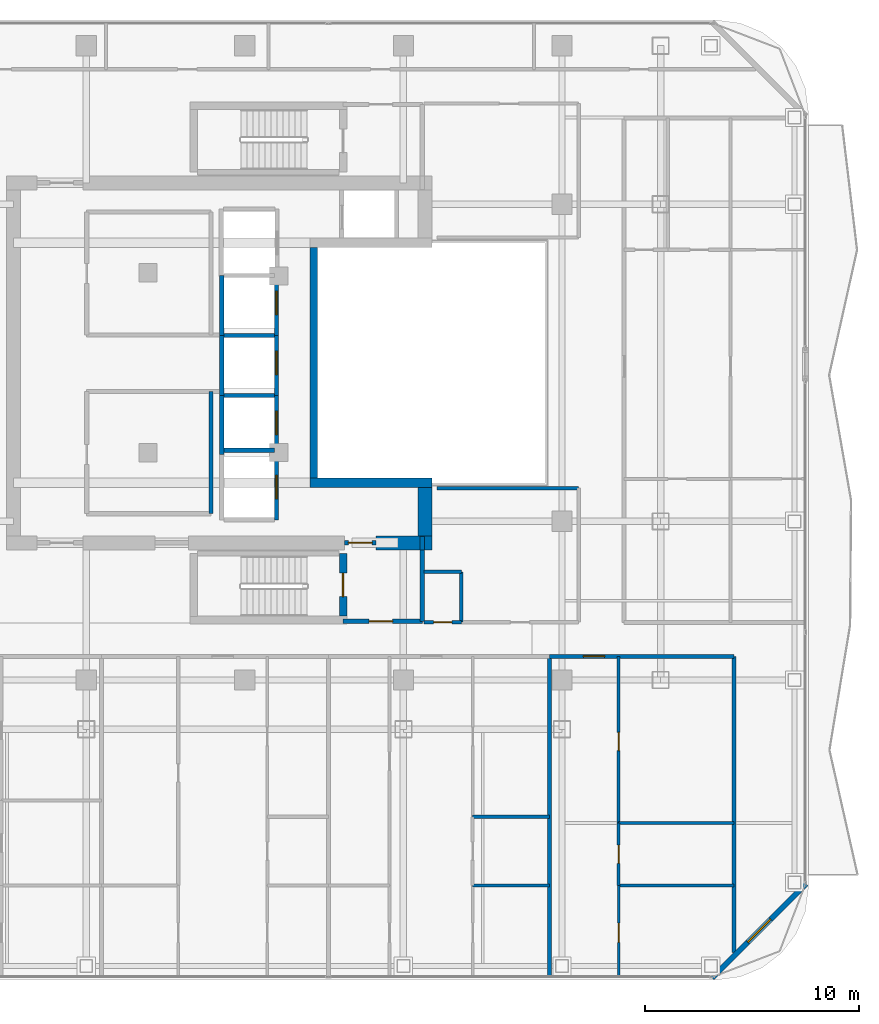
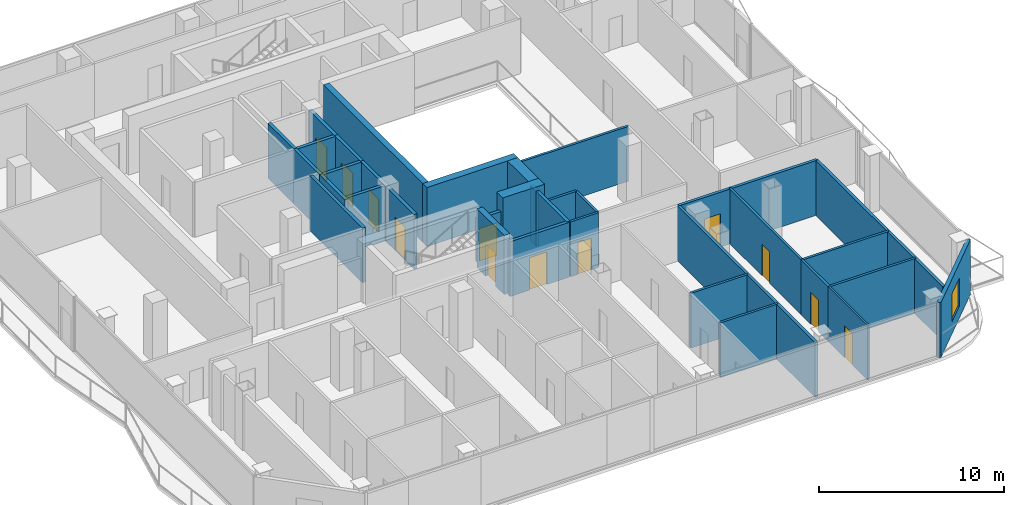
# One storey, part 21 of 26: 35 walls, 12 doors, 1 window, 13 openings.
"""IFC4 building model written with IfcOpenShell, lengths in metres."""

from ifc_helpers import new_model, si_unit, direction, frame, frame_2d, origin, place, context, subcontext, project, spatial, rectangle, extrude, material, layer, layer_set, type_object, element, fill, save


model = new_model("IFC4")

# Units and contexts
model_context = context("Model", 3, precision=1e-05, world=origin(), true_north=direction((0.0, 1.0)))
body_context = subcontext(model_context, "Body", "Model", "MODEL_VIEW")
ifc_project = project(units=[si_unit("LENGTHUNIT", "METRE"), si_unit("AREAUNIT", "SQUARE_METRE"), si_unit("VOLUMEUNIT", "CUBIC_METRE"), si_unit("PLANEANGLEUNIT", "RADIAN"), si_unit("MASSUNIT", "GRAM", prefix="KILO")], contexts=[model_context])

# Site, building, storey
site_placement = place(None, origin())
site = spatial("IfcSite", under=ifc_project, at=site_placement, CompositionType="ELEMENT")
building_placement = place(site_placement, origin())
building = spatial("IfcBuilding", under=site, at=building_placement, Name="Khorvyn Point Tower", CompositionType="ELEMENT")
storey_placement = place(building_placement, frame((0.0, 0.0, 250.800048828125)))
storey = spatial("IfcBuildingStorey", under=building, at=storey_placement, Name="L61", CompositionType="ELEMENT", Elevation=250.800048828125)

# Wall, opening, door
ifc_material_1 = material(Name="Double acoustic gypsum on twin steel stud", Category="steel")
ifc_layer_1 = layer(ifc_material_1, 0.179931640625)
ifc_layer_set_1 = layer_set([ifc_layer_1], Name="Acoustic Double-Stud Apartment Demising Wall 180")
wall_type_1 = type_object("IfcWallType", Name="Acoustic Double-Stud Apartment Demising Wall 180", PredefinedType="PARTITIONING", material=ifc_layer_set_1)
wall_1_placement = place(storey_placement, frame((14.2109375, -13.699951171875, 0.0), z_axis=(0.0, 0.0, 1.0), x_axis=(1.0, 0.0, 0.0)))
wall_1 = element("IfcWall", 1, at=wall_1_placement, inside=storey, type_object=wall_type_1, Name="Wall", PredefinedType="PARTITIONING", context=body_context, shape_type="SweptSolid", body=[
    extrude(rectangle(XDim=8.609130859375, YDim=0.179931640625, at=frame_2d((4.3046875, 0.0))), origin(), (0.0, 0.0, 1.0), 3.619873046875),
])
opening_1_placement = place(wall_1_placement, frame((1.582275390625, 0.0, 0.0)))
opening_1 = element("IfcOpeningElement", 2, at=opening_1_placement, cuts=wall_1, Name="Opening ID-AP60", PredefinedType="OPENING", context=body_context, shape_type="SweptSolid", body=[
    extrude(rectangle(XDim=1.0, YDim=2.199951171875, at=frame_2d((0.5, 1.10009765625))), frame((0.0, 0.099853515625, 0.0), z_axis=(0.0, -1.0, 0.0), x_axis=(1.0, 0.0, 0.0)), (0.0, 0.0, 1.0), 0.199951171875),
])
ifc_material_2 = material(Name="Engineered hardwood fire-rated leaf", Category="wood")
door_type_1 = type_object("IfcDoorType", Name="Acoustic Solid-Core Timber Apartment Entrance Door 1000x2200", OperationType="NOTDEFINED", PredefinedType="DOOR", material=ifc_material_2)
door_1_placement = place(opening_1_placement, origin())
door_1 = element("IfcDoor", 3, at=door_1_placement, inside=storey, type_object=door_type_1, Name="Door", OperationType="SINGLE_SWING_RIGHT", OverallHeight=2.199951171875, OverallWidth=1.0, PredefinedType="DOOR", context=body_context, shape_type="SweptSolid", body=[
    extrude(rectangle(XDim=1.0, YDim=2.199951171875, at=frame_2d((0.5, 1.10009765625))), frame((0.0, 0.02490234375, 0.0), z_axis=(0.0, -1.0, 0.0), x_axis=(1.0, 0.0, 0.0)), (0.0, 0.0, 1.0), 0.050048828125),
])
fill(opening_1, door_1)

# Walls
wall_2_placement = place(storey_placement, frame((14.2109375, -28.6298828125, 0.0), z_axis=(0.0, 0.0, 1.0), x_axis=(0.0, 1.0, 0.0)))
element("IfcWall", 4, at=wall_2_placement, inside=storey, type_object=wall_type_1, Name="Wall", PredefinedType="PARTITIONING", context=body_context, shape_type="SweptSolid", body=[
    extrude(rectangle(XDim=14.929931640625, YDim=0.179931640625, at=frame_2d((7.46484375, 0.0))), origin(), (0.0, 0.0, 1.0), 3.619873046875),
])
wall_3_placement = place(storey_placement, frame((22.820068359375, -27.510009765625, 0.0), z_axis=(0.0, 0.0, 1.0), x_axis=(0.0, 1.0, 0.0)))
element("IfcWall", 5, at=wall_3_placement, inside=storey, type_object=wall_type_1, Name="Wall", PredefinedType="PARTITIONING", context=body_context, shape_type="SweptSolid", body=[
    extrude(rectangle(XDim=13.81005859375, YDim=0.179931640625, at=frame_2d((6.905029296875, 0.0))), origin(), (0.0, 0.0, 1.0), 3.619873046875),
])

# Wall, opening, window
ifc_material_3 = material(Name="Pale anodised aluminium rainscreen on steel stud", Category="steel")
ifc_layer_2 = layer(ifc_material_3, 0.239990234375)
ifc_layer_set_2 = layer_set([ifc_layer_2], Name="Anodised Aluminium Insulated Corner Spandrel Wall 240")
wall_type_2 = type_object("IfcWallType", Name="Anodised Aluminium Insulated Corner Spandrel Wall 240", PredefinedType="SOLIDWALL", material=ifc_layer_set_2)
wall_4_placement = place(storey_placement, frame((26.1923828125, -24.3076171875, 0.0), z_axis=(0.0, 0.0, 1.0), x_axis=(-0.707106781187, -0.707106781187, 0.0)))
wall_4 = element("IfcWall", 6, at=wall_4_placement, inside=storey, type_object=wall_type_2, Name="L61 Rounded Corner Wall SE", PredefinedType="SOLIDWALL", context=body_context, shape_type="SweptSolid", body=[
    extrude(rectangle(XDim=6.200927734375, YDim=0.239990234375, at=frame_2d((3.1005859375, 0.0))), origin(), (0.0, 0.0, 1.0), 3.619873046875),
])
opening_2_placement = place(wall_4_placement, frame((2.3505859375, 0.0, 0.800048828125)))
opening_2 = element("IfcOpeningElement", 7, at=opening_2_placement, cuts=wall_4, Name="Opening WN-1518", PredefinedType="OPENING", context=body_context, shape_type="SweptSolid", body=[
    extrude(rectangle(XDim=1.5, YDim=1.85009765625, at=frame_2d((0.75, 0.925048828125))), frame((0.0, 0.1298828125, 0.0), z_axis=(0.0, -1.0, 0.0), x_axis=(1.0, 0.0, 0.0)), (0.0, 0.0, 1.0), 0.260009765625),
])
ifc_material_4 = material(Name="Anodised aluminium 6063-T6 and laminated Low-E glass", Category="aluminium")
window_type = type_object("IfcWindowType", Name="Anodised Aluminium Rounded-Corner Panoramic Window 1500x1850", PartitioningType="SINGLE_PANEL", PredefinedType="WINDOW", material=ifc_material_4)
window_placement = place(opening_2_placement, origin())
window = element("IfcWindow", 8, at=window_placement, inside=storey, type_object=window_type, Name="L61 Corner Panoramic Window SE", OverallHeight=1.85009765625, OverallWidth=1.5, PartitioningType="SINGLE_PANEL", PredefinedType="WINDOW", context=body_context, shape_type="SweptSolid", body=[
    extrude(rectangle(XDim=1.5, YDim=1.85009765625, at=frame_2d((0.75, 0.925048828125))), frame((0.0, 0.030029296875, 0.0), z_axis=(0.0, -1.0, 0.0), x_axis=(1.0, 0.0, 0.0)), (0.0, 0.0, 1.0), 0.06005859375),
])
fill(opening_2, window)

# Walls
ifc_material_5 = material(Name="Concrete C40/50", Category="concrete")
ifc_layer_3 = layer(ifc_material_5, 0.449951171875)
ifc_layer_set_3 = layer_set([ifc_layer_3], Name="Concrete C40/50 Core Shear Wall 450")
wall_type_3 = type_object("IfcWallType", Name="Concrete C40/50 Core Shear Wall 450", PredefinedType="SHEAR", material=ifc_layer_set_3)
wall_5_placement = place(storey_placement, frame((3.044921875, -5.60009765625, 0.0), z_axis=(0.0, 0.0, 1.0), x_axis=(1.0, 0.0, 0.0)))
element("IfcWall", 9, at=wall_5_placement, inside=storey, type_object=wall_type_3, Name="Wall", PredefinedType="SHEAR", context=body_context, shape_type="SweptSolid", body=[
    extrude(rectangle(XDim=5.68017578125, YDim=0.449951171875, at=frame_2d((2.840087890625, 0.0))), origin(), (0.0, 0.0, 1.0), 3.89990234375),
])
ifc_layer_4 = layer(ifc_material_5, 0.64990234375)
ifc_layer_set_4 = layer_set([ifc_layer_4], Name="Concrete C40/50 Core Shear Wall 650")
wall_type_4 = type_object("IfcWallType", Name="Concrete C40/50 Core Shear Wall 650", PredefinedType="SHEAR", material=ifc_layer_set_4)
wall_6_placement = place(storey_placement, frame((6.1201171875, -8.39990234375, 0.0), z_axis=(0.0, 0.0, 1.0), x_axis=(1.0, 0.0, 0.0)))
element("IfcWall", 10, at=wall_6_placement, inside=storey, type_object=wall_type_4, Name="Wall", PredefinedType="SHEAR", context=body_context, shape_type="SweptSolid", body=[
    extrude(rectangle(XDim=2.60498046875, YDim=0.64990234375, at=frame_2d((1.302490234375, 0.0))), origin(), (0.0, 0.0, 1.0), 3.89990234375),
])
wall_7_placement = place(storey_placement, frame((8.39990234375, -8.074951171875, 0.0), z_axis=(0.0, 0.0, 1.0), x_axis=(0.0, 1.0, 0.0)))
element("IfcWall", 11, at=wall_7_placement, inside=storey, type_object=wall_type_4, Name="Wall", PredefinedType="SHEAR", context=body_context, shape_type="SweptSolid", body=[
    extrude(rectangle(XDim=2.25, YDim=0.64990234375, at=frame_2d((1.125, 0.0))), origin(), (0.0, 0.0, 1.0), 3.89990234375),
])

# Wall, opening, door
ifc_layer_5 = layer(ifc_material_5, 0.199951171875)
ifc_layer_set_5 = layer_set([ifc_layer_5], Name="Concrete C40/50 Fire-Lobby Compartment Wall 200")
wall_type_5 = type_object("IfcWallType", Name="Concrete C40/50 Fire-Lobby Compartment Wall 200", PredefinedType="SOLIDWALL", material=ifc_layer_set_5)
wall_8_placement = place(storey_placement, frame((4.580078125, -12.06005859375, 0.0), z_axis=(0.0, 0.0, 1.0), x_axis=(1.0, 0.0, 0.0)))
wall_8 = element("IfcWall", 12, at=wall_8_placement, inside=storey, type_object=wall_type_5, Name="Wall", PredefinedType="SOLIDWALL", context=body_context, shape_type="SweptSolid", body=[
    extrude(rectangle(XDim=3.699951171875, YDim=0.199951171875, at=frame_2d((1.85009765625, 0.0))), origin(), (0.0, 0.0, 1.0), 3.619873046875),
])
opening_3_placement = place(wall_8_placement, frame((1.21240234375, 0.0, 0.0)))
opening_3 = element("IfcOpeningElement", 13, at=opening_3_placement, cuts=wall_8, Name="Opening ID-FL90", PredefinedType="OPENING", context=body_context, shape_type="SweptSolid", body=[
    extrude(rectangle(XDim=1.10009765625, YDim=2.14990234375, at=frame_2d((0.550048828125, 1.074951171875))), frame((0.0, 0.10986328125, 0.0), z_axis=(0.0, -1.0, 0.0), x_axis=(1.0, 0.0, 0.0)), (0.0, 0.0, 1.0), 0.219970703125),
])
ifc_material_6 = material(Name="Galvanised powder-coated steel", Category="steel")
door_type_2 = type_object("IfcDoorType", Name="Fire-Rated Steel Lobby and Stair Door 1100x2150", OperationType="NOTDEFINED", PredefinedType="DOOR", material=ifc_material_6)
door_2_placement = place(opening_3_placement, origin())
door_2 = element("IfcDoor", 14, at=door_2_placement, inside=storey, type_object=door_type_2, Name="Door", OperationType="SINGLE_SWING_RIGHT", OverallHeight=2.14990234375, OverallWidth=1.10009765625, PredefinedType="DOOR", context=body_context, shape_type="SweptSolid", body=[
    extrude(rectangle(XDim=1.10009765625, YDim=2.14990234375, at=frame_2d((0.550048828125, 1.074951171875))), frame((0.0, 0.02490234375, 0.0), z_axis=(0.0, -1.0, 0.0), x_axis=(1.0, 0.0, 0.0)), (0.0, 0.0, 1.0), 0.050048828125),
])
fill(opening_3, door_2)

wall_9_placement = place(storey_placement, frame((4.64990234375, -8.39990234375, 0.0), z_axis=(0.0, 0.0, 1.0), x_axis=(1.0, 0.0, 0.0)))
wall_9 = element("IfcWall", 15, at=wall_9_placement, inside=storey, type_object=wall_type_5, Name="Wall", PredefinedType="SOLIDWALL", context=body_context, shape_type="SweptSolid", body=[
    extrude(rectangle(XDim=1.47021484375, YDim=0.199951171875, at=frame_2d((0.735107421875, 0.0))), origin(), (0.0, 0.0, 1.0), 2.85986328125),
])
opening_4_placement = place(wall_9_placement, frame((0.18505859375, 0.0, 0.0)))
opening_4 = element("IfcOpeningElement", 16, at=opening_4_placement, cuts=wall_9, Name="Opening ID-FL90", PredefinedType="OPENING", context=body_context, shape_type="SweptSolid", body=[
    extrude(rectangle(XDim=1.10009765625, YDim=2.14990234375, at=frame_2d((0.550048828125, 1.074951171875))), frame((0.0, 0.10986328125, 0.0), z_axis=(0.0, -1.0, 0.0), x_axis=(1.0, 0.0, 0.0)), (0.0, 0.0, 1.0), 0.219970703125),
])
door_3_placement = place(opening_4_placement, origin())
door_3 = element("IfcDoor", 17, at=door_3_placement, inside=storey, type_object=door_type_2, Name="Door", OperationType="SINGLE_SWING_LEFT", OverallHeight=2.14990234375, OverallWidth=1.10009765625, PredefinedType="DOOR", context=body_context, shape_type="SweptSolid", body=[
    extrude(rectangle(XDim=1.10009765625, YDim=2.14990234375, at=frame_2d((0.550048828125, 1.074951171875))), frame((0.0, 0.02490234375, 0.0), z_axis=(0.0, -1.0, 0.0), x_axis=(1.0, 0.0, 0.0)), (0.0, 0.0, 1.0), 0.050048828125),
])
fill(opening_4, door_3)

# Walls
wall_10_placement = place(storey_placement, frame((8.280029296875, -12.06005859375, 0.0), z_axis=(0.0, 0.0, 1.0), x_axis=(0.0, 1.0, 0.0)))
element("IfcWall", 18, at=wall_10_placement, inside=storey, type_object=wall_type_5, Name="Wall", PredefinedType="SOLIDWALL", context=body_context, shape_type="SweptSolid", body=[
    extrude(rectangle(XDim=3.3349609375, YDim=0.199951171875, at=frame_2d((1.66748046875, 0.0))), origin(), (0.0, 0.0, 1.0), 3.619873046875),
])
wall_11_placement = place(storey_placement, frame((-1.580078125, -7.0400390625, 0.0), z_axis=(0.0, 0.0, 1.0), x_axis=(0.0, 1.0, 0.0)))
element("IfcWall", 19, at=wall_11_placement, inside=storey, type_object=wall_type_5, Name="Wall", PredefinedType="SOLIDWALL", context=body_context, shape_type="SweptSolid", body=[
    extrude(rectangle(XDim=5.699951171875, YDim=0.199951171875, at=frame_2d((2.85009765625, 0.0))), origin(), (0.0, 0.0, 1.0), 3.619873046875),
])
wall_12_placement = place(storey_placement, frame((8.280029296875, -8.72509765625, 0.0), z_axis=(0.0, 0.0, 1.0), x_axis=(0.0, 1.0, 0.0)))
element("IfcWall", 20, at=wall_12_placement, inside=storey, type_object=wall_type_5, Name="Wall", PredefinedType="SOLIDWALL", context=body_context, shape_type="SweptSolid", body=[
    extrude(rectangle(XDim=0.625, YDim=0.199951171875, at=frame_2d((0.3125, 0.0))), origin(), (0.0, 0.0, 1.0), 3.619873046875),
])
ifc_layer_6 = layer(ifc_material_5, 0.35009765625)
ifc_layer_set_6 = layer_set([ifc_layer_6], Name="Concrete C40/50 Stair Shaft Structural Wall 350")
wall_type_6 = type_object("IfcWallType", Name="Concrete C40/50 Stair Shaft Structural Wall 350", PredefinedType="SHEAR", material=ifc_layer_set_6)
wall_13_placement = place(storey_placement, frame((3.219970703125, -5.375, 0.0), z_axis=(0.0, 0.0, 1.0), x_axis=(0.0, 1.0, 0.0)))
element("IfcWall", 21, at=wall_13_placement, inside=storey, type_object=wall_type_6, Name="Wall", PredefinedType="SHEAR", context=body_context, shape_type="SweptSolid", body=[
    extrude(rectangle(XDim=10.75, YDim=0.35009765625, at=frame_2d((5.375, 0.0))), origin(), (0.0, 0.0, 1.0), 3.89990234375),
])

# Wall, opening, door
wall_14_placement = place(storey_placement, frame((4.580078125, -8.89990234375, 0.0), z_axis=(0.0, 0.0, 1.0), x_axis=(0.0, -1.0, 0.0)))
wall_14 = element("IfcWall", 22, at=wall_14_placement, inside=storey, type_object=wall_type_6, Name="L61 ST-01 East Landing Door Wall", PredefinedType="SHEAR", context=body_context, shape_type="SweptSolid", body=[
    extrude(rectangle(XDim=2.925048828125, YDim=0.35009765625, at=frame_2d((1.46240234375, 0.0))), origin(), (0.0, 0.0, 1.0), 3.89990234375),
])
opening_5_placement = place(wall_14_placement, frame((0.91259765625, 0.0, 0.0)))
opening_5 = element("IfcOpeningElement", 23, at=opening_5_placement, cuts=wall_14, Name="Opening ID-FL90", PredefinedType="OPENING", context=body_context, shape_type="SweptSolid", body=[
    extrude(rectangle(XDim=1.10009765625, YDim=2.14990234375, at=frame_2d((0.550048828125, 1.074951171875))), frame((0.0, 0.18505859375, 0.0), z_axis=(0.0, -1.0, 0.0), x_axis=(1.0, 0.0, 0.0)), (0.0, 0.0, 1.0), 0.3701171875),
])
door_4_placement = place(opening_5_placement, origin())
door_4 = element("IfcDoor", 24, at=door_4_placement, inside=storey, type_object=door_type_2, Name="L61 ST-01 Smokeproof Landing Door", OperationType="SINGLE_SWING_LEFT", OverallHeight=2.14990234375, OverallWidth=1.10009765625, PredefinedType="DOOR", context=body_context, shape_type="SweptSolid", body=[
    extrude(rectangle(XDim=1.10009765625, YDim=2.14990234375, at=frame_2d((0.550048828125, 1.074951171875))), frame((0.0, 0.02490234375, 0.0), z_axis=(0.0, -1.0, 0.0), x_axis=(1.0, 0.0, 0.0)), (0.0, 0.0, 1.0), 0.050048828125),
])
fill(opening_5, door_4)

# Wall
ifc_layer_7 = layer(ifc_material_5, 0.199951171875)
ifc_layer_set_7 = layer_set([ifc_layer_7], Name="Concrete C40/50 Structural Hoistway and Stair Shaft Wall 200")
wall_type_7 = type_object("IfcWallType", Name="Concrete C40/50 Structural Hoistway and Stair Shaft Wall 200", PredefinedType="SHEAR", material=ifc_layer_set_7)
wall_15_placement = place(storey_placement, frame((-1.074951171875, -4.27490234375, 0.0), z_axis=(0.0, 0.0, 1.0), x_axis=(0.0, 1.0, 0.0)))
element("IfcWall", 25, at=wall_15_placement, inside=storey, type_object=wall_type_7, Name="Wall", PredefinedType="SHEAR", context=body_context, shape_type="SweptSolid", body=[
    extrude(rectangle(XDim=2.75, YDim=0.199951171875, at=frame_2d((1.375, 0.0))), origin(), (0.0, 0.0, 1.0), 3.619873046875),
])

# Wall, opening, door
wall_16_placement = place(storey_placement, frame((1.47509765625, -4.27490234375, 0.0), z_axis=(0.0, 0.0, 1.0), x_axis=(0.0, 1.0, 0.0)))
wall_16 = element("IfcWall", 26, at=wall_16_placement, inside=storey, type_object=wall_type_7, Name="Wall", PredefinedType="SHEAR", context=body_context, shape_type="SweptSolid", body=[
    extrude(rectangle(XDim=2.75, YDim=0.199951171875, at=frame_2d((1.375, 0.0))), origin(), (0.0, 0.0, 1.0), 3.619873046875),
])
opening_6_placement = place(wall_16_placement, frame((0.925048828125, 0.0, 0.0)))
opening_6 = element("IfcOpeningElement", 27, at=opening_6_placement, cuts=wall_16, Name="Opening LD-1122", PredefinedType="OPENING", context=body_context, shape_type="SweptSolid", body=[
    extrude(rectangle(XDim=1.10009765625, YDim=2.199951171875, at=frame_2d((0.550048828125, 1.10009765625))), frame((0.0, 0.10986328125, 0.0), z_axis=(0.0, -1.0, 0.0), x_axis=(1.0, 0.0, 0.0)), (0.0, 0.0, 1.0), 0.219970703125),
])
ifc_material_7 = material(Name="Stainless steel 1.4301", Category="steel")
door_type_3 = type_object("IfcDoorType", Name="Stainless Steel Automatic Sliding Lift Landing Door 1100x2200", OperationType="SLIDING_TO_LEFT", PredefinedType="DOOR", material=ifc_material_7)
door_5_placement = place(opening_6_placement, origin())
door_5 = element("IfcDoor", 28, at=door_5_placement, inside=storey, type_object=door_type_3, Name="L61 RH-01 Sliding Lift Landing Door", OperationType="SLIDING_TO_LEFT", OverallHeight=2.199951171875, OverallWidth=1.10009765625, PredefinedType="DOOR", context=body_context, shape_type="SweptSolid", body=[
    extrude(rectangle(XDim=1.10009765625, YDim=2.199951171875, at=frame_2d((0.550048828125, 1.10009765625))), frame((0.0, 0.02490234375, 0.0), z_axis=(0.0, -1.0, 0.0), x_axis=(1.0, 0.0, 0.0)), (0.0, 0.0, 1.0), 0.050048828125),
])
fill(opening_6, door_5)

# Walls
for number, where, z_axis, x_axis, name in (
    (29, (-0.97509765625, -4.074951171875, 0.0), (0.0, 0.0, 1.0), (1.0, 0.0, 0.0), "Wall"),
    (30, (-0.97509765625, -1.52490234375, 0.0), (0.0, 0.0, 1.0), (1.0, 0.0, 0.0), "Wall"),
):
    element("IfcWall", number, at=place(storey_placement, frame(where, z_axis=z_axis, x_axis=x_axis)), inside=storey, type_object=wall_type_7, Name=name, PredefinedType="SHEAR", context=body_context, shape_type="SweptSolid", body=[
        extrude(rectangle(XDim=2.35009765625, YDim=0.199951171875, at=frame_2d((1.175048828125, 0.0))), origin(), (0.0, 0.0, 1.0), 3.619873046875),
    ])
wall_17_placement = place(storey_placement, frame((-1.074951171875, -1.52490234375, 0.0), z_axis=(0.0, 0.0, 1.0), x_axis=(0.0, 1.0, 0.0)))
element("IfcWall", 31, at=wall_17_placement, inside=storey, type_object=wall_type_7, Name="Wall", PredefinedType="SHEAR", context=body_context, shape_type="SweptSolid", body=[
    extrude(rectangle(XDim=2.7998046875, YDim=0.199951171875, at=frame_2d((1.39990234375, 0.0))), origin(), (0.0, 0.0, 1.0), 3.619873046875),
])

# Wall, opening, door
wall_18_placement = place(storey_placement, frame((1.47509765625, -1.52490234375, 0.0), z_axis=(0.0, 0.0, 1.0), x_axis=(0.0, 1.0, 0.0)))
wall_18 = element("IfcWall", 32, at=wall_18_placement, inside=storey, type_object=wall_type_7, Name="Wall", PredefinedType="SHEAR", context=body_context, shape_type="SweptSolid", body=[
    extrude(rectangle(XDim=2.7998046875, YDim=0.199951171875, at=frame_2d((1.39990234375, 0.0))), origin(), (0.0, 0.0, 1.0), 3.619873046875),
])
opening_7_placement = place(wall_18_placement, frame((0.97509765625, 0.0, 0.0)))
opening_7 = element("IfcOpeningElement", 33, at=opening_7_placement, cuts=wall_18, Name="Opening LD-1122", PredefinedType="OPENING", context=body_context, shape_type="SweptSolid", body=[
    extrude(rectangle(XDim=1.10009765625, YDim=2.199951171875, at=frame_2d((0.550048828125, 1.10009765625))), frame((0.0, 0.10986328125, 0.0), z_axis=(0.0, -1.0, 0.0), x_axis=(1.0, 0.0, 0.0)), (0.0, 0.0, 1.0), 0.219970703125),
])
door_6_placement = place(opening_7_placement, origin())
door_6 = element("IfcDoor", 34, at=door_6_placement, inside=storey, type_object=door_type_3, Name="L61 RH-02 Sliding Lift Landing Door", OperationType="SLIDING_TO_LEFT", OverallHeight=2.199951171875, OverallWidth=1.10009765625, PredefinedType="DOOR", context=body_context, shape_type="SweptSolid", body=[
    extrude(rectangle(XDim=1.10009765625, YDim=2.199951171875, at=frame_2d((0.550048828125, 1.10009765625))), frame((0.0, 0.02490234375, 0.0), z_axis=(0.0, -1.0, 0.0), x_axis=(1.0, 0.0, 0.0)), (0.0, 0.0, 1.0), 0.050048828125),
])
fill(opening_7, door_6)

# Walls
wall_19_placement = place(storey_placement, frame((-0.97509765625, 1.27490234375, 0.0), z_axis=(0.0, 0.0, 1.0), x_axis=(1.0, 0.0, 0.0)))
element("IfcWall", 35, at=wall_19_placement, inside=storey, type_object=wall_type_7, Name="Wall", PredefinedType="SHEAR", context=body_context, shape_type="SweptSolid", body=[
    extrude(rectangle(XDim=2.35009765625, YDim=0.199951171875, at=frame_2d((1.175048828125, 0.0))), origin(), (0.0, 0.0, 1.0), 3.619873046875),
])
wall_20_placement = place(storey_placement, frame((-1.074951171875, 1.27490234375, 0.0), z_axis=(0.0, 0.0, 1.0), x_axis=(0.0, 1.0, 0.0)))
element("IfcWall", 36, at=wall_20_placement, inside=storey, type_object=wall_type_7, Name="Wall", PredefinedType="SHEAR", context=body_context, shape_type="SweptSolid", body=[
    extrude(rectangle(XDim=2.800048828125, YDim=0.199951171875, at=frame_2d((1.39990234375, 0.0))), origin(), (0.0, 0.0, 1.0), 3.619873046875),
])

# Wall, opening, door
wall_21_placement = place(storey_placement, frame((1.47509765625, 1.27490234375, 0.0), z_axis=(0.0, 0.0, 1.0), x_axis=(0.0, 1.0, 0.0)))
wall_21 = element("IfcWall", 37, at=wall_21_placement, inside=storey, type_object=wall_type_7, Name="Wall", PredefinedType="SHEAR", context=body_context, shape_type="SweptSolid", body=[
    extrude(rectangle(XDim=2.800048828125, YDim=0.199951171875, at=frame_2d((1.39990234375, 0.0))), origin(), (0.0, 0.0, 1.0), 3.619873046875),
])
opening_8_placement = place(wall_21_placement, frame((0.97509765625, 0.0, 0.0)))
opening_8 = element("IfcOpeningElement", 38, at=opening_8_placement, cuts=wall_21, Name="Opening LD-1122", PredefinedType="OPENING", context=body_context, shape_type="SweptSolid", body=[
    extrude(rectangle(XDim=1.10009765625, YDim=2.199951171875, at=frame_2d((0.550048828125, 1.10009765625))), frame((0.0, 0.10986328125, 0.0), z_axis=(0.0, -1.0, 0.0), x_axis=(1.0, 0.0, 0.0)), (0.0, 0.0, 1.0), 0.219970703125),
])
door_7_placement = place(opening_8_placement, origin())
door_7 = element("IfcDoor", 39, at=door_7_placement, inside=storey, type_object=door_type_3, Name="L61 RH-03 Sliding Lift Landing Door", OperationType="SLIDING_TO_LEFT", OverallHeight=2.199951171875, OverallWidth=1.10009765625, PredefinedType="DOOR", context=body_context, shape_type="SweptSolid", body=[
    extrude(rectangle(XDim=1.10009765625, YDim=2.199951171875, at=frame_2d((0.550048828125, 1.10009765625))), frame((0.0, 0.02490234375, 0.0), z_axis=(0.0, -1.0, 0.0), x_axis=(1.0, 0.0, 0.0)), (0.0, 0.0, 1.0), 0.050048828125),
])
fill(opening_8, door_7)

wall_22_placement = place(storey_placement, frame((1.47509765625, -7.324951171875, 0.0), z_axis=(0.0, 0.0, 1.0), x_axis=(0.0, 1.0, 0.0)))
wall_22 = element("IfcWall", 40, at=wall_22_placement, inside=storey, type_object=wall_type_7, Name="Wall", PredefinedType="SHEAR", context=body_context, shape_type="SweptSolid", body=[
    extrude(rectangle(XDim=3.050048828125, YDim=0.199951171875, at=frame_2d((1.52490234375, 0.0))), origin(), (0.0, 0.0, 1.0), 3.619873046875),
])
opening_9_placement = place(wall_22_placement, frame((0.97509765625, 0.0, 0.0)))
opening_9 = element("IfcOpeningElement", 41, at=opening_9_placement, cuts=wall_22, Name="Opening LD-1122", PredefinedType="OPENING", context=body_context, shape_type="SweptSolid", body=[
    extrude(rectangle(XDim=1.10009765625, YDim=2.199951171875, at=frame_2d((0.550048828125, 1.10009765625))), frame((0.0, 0.10986328125, 0.0), z_axis=(0.0, -1.0, 0.0), x_axis=(1.0, 0.0, 0.0)), (0.0, 0.0, 1.0), 0.219970703125),
])
door_8_placement = place(opening_9_placement, origin())
door_8 = element("IfcDoor", 42, at=door_8_placement, inside=storey, type_object=door_type_3, Name="L61 FF-01 Sliding Lift Landing Door", OperationType="SLIDING_TO_LEFT", OverallHeight=2.199951171875, OverallWidth=1.10009765625, PredefinedType="DOOR", context=body_context, shape_type="SweptSolid", body=[
    extrude(rectangle(XDim=1.10009765625, YDim=2.199951171875, at=frame_2d((0.550048828125, 1.10009765625))), frame((0.0, 0.02490234375, 0.0), z_axis=(0.0, -1.0, 0.0), x_axis=(1.0, 0.0, 0.0)), (0.0, 0.0, 1.0), 0.050048828125),
])
fill(opening_9, door_8)

ifc_material_8 = material(Name="Gypsum plasterboard on steel stud", Category="steel")
ifc_layer_8 = layer(ifc_material_8, 0.1201171875)
ifc_layer_set_8 = layer_set([ifc_layer_8], Name="Gypsum Acoustic Stud Room Partition Wall 120")
wall_type_8 = type_object("IfcWallType", Name="Gypsum Acoustic Stud Room Partition Wall 120", PredefinedType="PARTITIONING", material=ifc_layer_set_8)
wall_23_placement = place(storey_placement, frame((17.43896484375, -28.6298828125, 0.0), z_axis=(0.0, 0.0, 1.0), x_axis=(0.0, 1.0, 0.0)))
wall_23 = element("IfcWall", 43, at=wall_23_placement, inside=storey, type_object=wall_type_8, Name="Wall", PredefinedType="PARTITIONING", context=body_context, shape_type="SweptSolid", body=[
    extrude(rectangle(XDim=4.239990234375, YDim=0.1201171875, at=frame_2d((2.1201171875, 0.0))), origin(), (0.0, 0.0, 1.0), 3.619873046875),
])
opening_10_placement = place(wall_23_placement, frame((1.581298828125, 0.0, 0.0)))
opening_10 = element("IfcOpeningElement", 44, at=opening_10_placement, cuts=wall_23, Name="Opening ID-RM90", PredefinedType="OPENING", context=body_context, shape_type="SweptSolid", body=[
    extrude(rectangle(XDim=0.89990234375, YDim=2.10009765625, at=frame_2d((0.449951171875, 1.050048828125))), frame((0.0, 0.070068359375, 0.0), z_axis=(0.0, -1.0, 0.0), x_axis=(1.0, 0.0, 0.0)), (0.0, 0.0, 1.0), 0.14013671875),
])
ifc_material_9 = material(Name="Engineered oak veneer timber", Category="wood")
door_type_4 = type_object("IfcDoorType", Name="Flush Engineered Timber Room Door 900x2100", OperationType="NOTDEFINED", PredefinedType="DOOR", material=ifc_material_9)
door_9_placement = place(opening_10_placement, origin())
door_9 = element("IfcDoor", 45, at=door_9_placement, inside=storey, type_object=door_type_4, Name="Door", OperationType="SINGLE_SWING_LEFT", OverallHeight=2.10009765625, OverallWidth=0.89990234375, PredefinedType="DOOR", context=body_context, shape_type="SweptSolid", body=[
    extrude(rectangle(XDim=0.89990234375, YDim=2.10009765625, at=frame_2d((0.449951171875, 1.050048828125))), frame((0.0, 0.02490234375, 0.0), z_axis=(0.0, -1.0, 0.0), x_axis=(1.0, 0.0, 0.0)), (0.0, 0.0, 1.0), 0.050048828125),
])
fill(opening_10, door_9)

ifc_material_10 = material(Name="Moisture-resistant gypsum and cement board", Category="gypsum")
ifc_layer_9 = layer(ifc_material_10, 0.14990234375)
ifc_layer_set_9 = layer_set([ifc_layer_9], Name="Moisture-Resistant Wet-Room Partition Wall 150")
wall_type_9 = type_object("IfcWallType", Name="Moisture-Resistant Wet-Room Partition Wall 150", PredefinedType="PARTITIONING", material=ifc_layer_set_9)
wall_24_placement = place(storey_placement, frame((8.360107421875, -12.10009765625, 0.0), z_axis=(0.0, 0.0, 1.0), x_axis=(1.0, 0.0, 0.0)))
wall_24 = element("IfcWall", 46, at=wall_24_placement, inside=storey, type_object=wall_type_9, Name="Wall", PredefinedType="PARTITIONING", context=body_context, shape_type="SweptSolid", body=[
    extrude(rectangle(XDim=1.739990234375, YDim=0.14990234375, at=frame_2d((0.8701171875, 0.0))), origin(), (0.0, 0.0, 1.0), 3.619873046875),
])
opening_11_placement = place(wall_24_placement, frame((0.445068359375, 0.0, 0.0)))
opening_11 = element("IfcOpeningElement", 47, at=opening_11_placement, cuts=wall_24, Name="Opening ID-WC85", PredefinedType="OPENING", context=body_context, shape_type="SweptSolid", body=[
    extrude(rectangle(XDim=0.85009765625, YDim=2.10009765625, at=frame_2d((0.425048828125, 1.050048828125))), frame((0.0, 0.0849609375, 0.0), z_axis=(0.0, -1.0, 0.0), x_axis=(1.0, 0.0, 0.0)), (0.0, 0.0, 1.0), 0.169921875),
])
ifc_material_11 = material(Name="High-pressure laminate on moisture-resistant core", Category="wood")
door_type_5 = type_object("IfcDoorType", Name="Moisture-Resistant Accessible Washroom Door 850x2100", OperationType="NOTDEFINED", PredefinedType="DOOR", material=ifc_material_11)
door_10_placement = place(opening_11_placement, origin())
door_10 = element("IfcDoor", 48, at=door_10_placement, inside=storey, type_object=door_type_5, Name="Door", OperationType="SINGLE_SWING_LEFT", OverallHeight=2.10009765625, OverallWidth=0.85009765625, PredefinedType="DOOR", context=body_context, shape_type="SweptSolid", body=[
    extrude(rectangle(XDim=0.85009765625, YDim=2.10009765625, at=frame_2d((0.425048828125, 1.050048828125))), frame((0.0, 0.02490234375, 0.0), z_axis=(0.0, -1.0, 0.0), x_axis=(1.0, 0.0, 0.0)), (0.0, 0.0, 1.0), 0.050048828125),
])
fill(opening_11, door_10)

wall_25_placement = place(storey_placement, frame((17.43896484375, -21.468017578125, 0.0), z_axis=(0.0, 0.0, 1.0), x_axis=(0.0, 1.0, 0.0)))
wall_25 = element("IfcWall", 49, at=wall_25_placement, inside=storey, type_object=wall_type_9, Name="Wall", PredefinedType="PARTITIONING", context=body_context, shape_type="SweptSolid", body=[
    extrude(rectangle(XDim=7.76806640625, YDim=0.14990234375, at=frame_2d((3.884033203125, 0.0))), origin(), (0.0, 0.0, 1.0), 3.619873046875),
])
opening_12_placement = place(wall_25_placement, frame((3.369873046875, 0.0, 0.0)))
opening_12 = element("IfcOpeningElement", 50, at=opening_12_placement, cuts=wall_25, Name="Opening ID-WC85", PredefinedType="OPENING", context=body_context, shape_type="SweptSolid", body=[
    extrude(rectangle(XDim=0.85009765625, YDim=2.10009765625, at=frame_2d((0.425048828125, 1.050048828125))), frame((0.0, 0.0849609375, 0.0), z_axis=(0.0, -1.0, 0.0), x_axis=(1.0, 0.0, 0.0)), (0.0, 0.0, 1.0), 0.169921875),
])
door_11_placement = place(opening_12_placement, origin())
door_11 = element("IfcDoor", 51, at=door_11_placement, inside=storey, type_object=door_type_5, Name="Door", OperationType="SINGLE_SWING_LEFT", OverallHeight=2.10009765625, OverallWidth=0.85009765625, PredefinedType="DOOR", context=body_context, shape_type="SweptSolid", body=[
    extrude(rectangle(XDim=0.85009765625, YDim=2.10009765625, at=frame_2d((0.425048828125, 1.050048828125))), frame((0.0, 0.02490234375, 0.0), z_axis=(0.0, -1.0, 0.0), x_axis=(1.0, 0.0, 0.0)), (0.0, 0.0, 1.0), 0.050048828125),
])
fill(opening_12, door_11)

wall_26_placement = place(storey_placement, frame((17.43896484375, -24.389892578125, 0.0), z_axis=(0.0, 0.0, 1.0), x_axis=(0.0, 1.0, 0.0)))
wall_26 = element("IfcWall", 52, at=wall_26_placement, inside=storey, type_object=wall_type_9, Name="Wall", PredefinedType="PARTITIONING", context=body_context, shape_type="SweptSolid", body=[
    extrude(rectangle(XDim=2.921875, YDim=0.14990234375, at=frame_2d((1.4609375, 0.0))), origin(), (0.0, 0.0, 1.0), 3.619873046875),
])
opening_13_placement = place(wall_26_placement, frame((1.035888671875, 0.0, 0.0)))
opening_13 = element("IfcOpeningElement", 53, at=opening_13_placement, cuts=wall_26, Name="Opening ID-WC85", PredefinedType="OPENING", context=body_context, shape_type="SweptSolid", body=[
    extrude(rectangle(XDim=0.85009765625, YDim=2.10009765625, at=frame_2d((0.425048828125, 1.050048828125))), frame((0.0, 0.0849609375, 0.0), z_axis=(0.0, -1.0, 0.0), x_axis=(1.0, 0.0, 0.0)), (0.0, 0.0, 1.0), 0.169921875),
])
door_12_placement = place(opening_13_placement, origin())
door_12 = element("IfcDoor", 54, at=door_12_placement, inside=storey, type_object=door_type_5, Name="Door", OperationType="SINGLE_SWING_RIGHT", OverallHeight=2.10009765625, OverallWidth=0.85009765625, PredefinedType="DOOR", context=body_context, shape_type="SweptSolid", body=[
    extrude(rectangle(XDim=0.85009765625, YDim=2.10009765625, at=frame_2d((0.425048828125, 1.050048828125))), frame((0.0, 0.02490234375, 0.0), z_axis=(0.0, -1.0, 0.0), x_axis=(1.0, 0.0, 0.0)), (0.0, 0.0, 1.0), 0.050048828125),
])
fill(opening_13, door_12)

# Walls
wall_27_placement = place(storey_placement, frame((8.360107421875, -9.75, 0.0), z_axis=(0.0, 0.0, 1.0), x_axis=(1.0, 0.0, 0.0)))
element("IfcWall", 55, at=wall_27_placement, inside=storey, type_object=wall_type_9, Name="Wall", PredefinedType="PARTITIONING", context=body_context, shape_type="SweptSolid", body=[
    extrude(rectangle(XDim=1.739990234375, YDim=0.14990234375, at=frame_2d((0.8701171875, 0.0))), origin(), (0.0, 0.0, 1.0), 3.619873046875),
])
wall_28_placement = place(storey_placement, frame((10.10009765625, -12.10009765625, 0.0), z_axis=(0.0, 0.0, 1.0), x_axis=(0.0, 1.0, 0.0)))
element("IfcWall", 56, at=wall_28_placement, inside=storey, type_object=wall_type_9, Name="Wall", PredefinedType="PARTITIONING", context=body_context, shape_type="SweptSolid", body=[
    extrude(rectangle(XDim=2.35009765625, YDim=0.14990234375, at=frame_2d((1.175048828125, 0.0))), origin(), (0.0, 0.0, 1.0), 3.619873046875),
])
wall_29_placement = place(storey_placement, frame((8.9599609375, -5.85009765625, 0.0), z_axis=(0.0, 0.0, 1.0), x_axis=(1.0, 0.0, 0.0)))
element("IfcWall", 57, at=wall_29_placement, inside=storey, type_object=wall_type_9, Name="Wall", PredefinedType="PARTITIONING", context=body_context, shape_type="SweptSolid", body=[
    extrude(rectangle(XDim=6.6201171875, YDim=0.14990234375, at=frame_2d((3.31005859375, 0.0))), origin(), (0.0, 0.0, 1.0), 3.619873046875),
])
for number, where, z_axis, x_axis, name in (
    (58, (10.625, -21.18310546875, 0.0), (0.0, 0.0, 1.0), (1.0, 0.0, 0.0), "Wall"),
    (59, (10.625, -24.389892578125, 0.0), (0.0, 0.0, 1.0), (1.0, 0.0, 0.0), "Wall"),
):
    element("IfcWall", number, at=place(storey_placement, frame(where, z_axis=z_axis, x_axis=x_axis)), inside=storey, type_object=wall_type_9, Name=name, PredefinedType="PARTITIONING", context=body_context, shape_type="SweptSolid", body=[
        extrude(rectangle(XDim=3.5859375, YDim=0.14990234375, at=frame_2d((1.79296875, 0.0))), origin(), (0.0, 0.0, 1.0), 3.619873046875),
    ])
for number, where, z_axis, x_axis, name in (
    (60, (17.43896484375, -21.468017578125, 0.0), (0.0, 0.0, 1.0), (1.0, 0.0, 0.0), "Wall"),
    (61, (17.43896484375, -24.389892578125, 0.0), (0.0, 0.0, 1.0), (1.0, 0.0, 0.0), "Wall"),
):
    element("IfcWall", number, at=place(storey_placement, frame(where, z_axis=z_axis, x_axis=x_axis)), inside=storey, type_object=wall_type_9, Name=name, PredefinedType="PARTITIONING", context=body_context, shape_type="SweptSolid", body=[
        extrude(rectangle(XDim=5.381103515625, YDim=0.14990234375, at=frame_2d((2.6904296875, 0.0))), origin(), (0.0, 0.0, 1.0), 3.619873046875),
    ])

save(model, "model.ifc")
